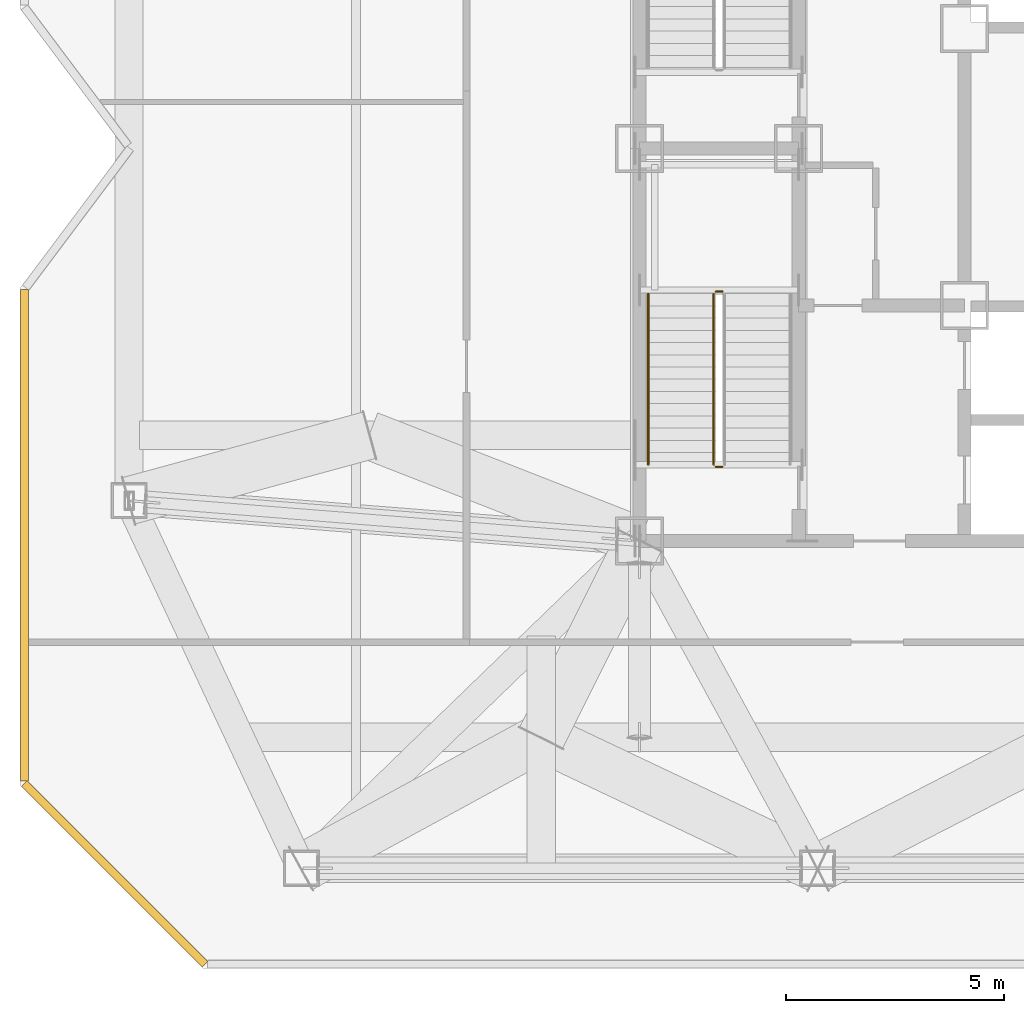
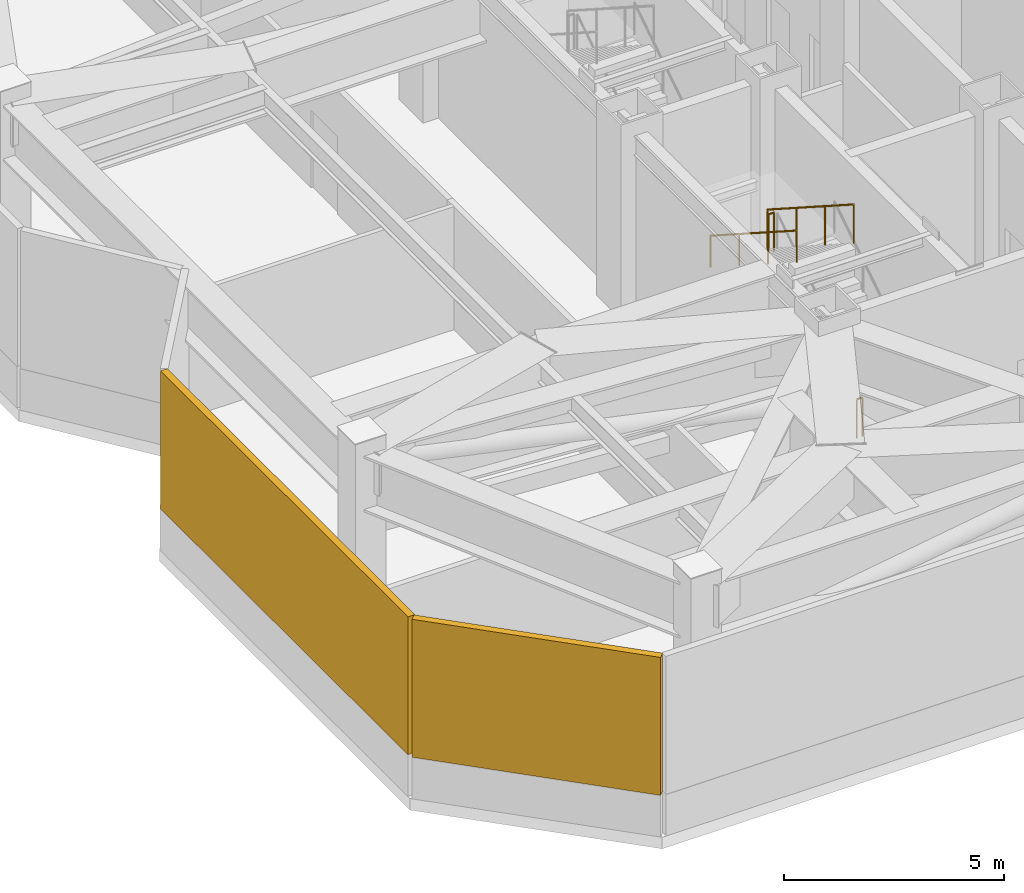
# One storey, part 16 of 19: 4 railings, 2 shading devices.
"""IFC4 building model written with IfcOpenShell, lengths in metres."""

from ifc_helpers import new_model, si_unit, direction, frame, origin, origin_2d, place, context, subcontext, project, spatial, rectangle, circle, extrude, material, type_object, element, save


model = new_model("IFC4")

# Units and contexts
model_context = context("Model", 3, precision=1e-05, world=origin(), true_north=direction((0.0, 1.0)))
body_context = subcontext(model_context, "Body", "Model", "MODEL_VIEW")
ifc_project = project(units=[si_unit("LENGTHUNIT", "METRE"), si_unit("AREAUNIT", "SQUARE_METRE"), si_unit("VOLUMEUNIT", "CUBIC_METRE"), si_unit("PLANEANGLEUNIT", "RADIAN"), si_unit("MASSUNIT", "GRAM", prefix="KILO")], contexts=[model_context])

# Site, building, storey
site_placement = place(None, origin())
site = spatial("IfcSite", under=ifc_project, at=site_placement, CompositionType="ELEMENT")
building_placement = place(site_placement, origin())
building = spatial("IfcBuilding", under=site, at=building_placement, Name="Khamvora Tower", CompositionType="ELEMENT")
storey_placement = place(building_placement, frame((0.0, 0.0, 211.800048828125)))
storey = spatial("IfcBuildingStorey", under=building, at=storey_placement, Name="L54", CompositionType="ELEMENT", Elevation=211.800048828125)

# Railings
ifc_material_1 = material(Name="Brushed Stainless Steel 316", Category="steel")
railing_type_1 = type_object("IfcRailingType", Name="RAL-HDR-920", PredefinedType="HANDRAIL", material=ifc_material_1)
railing_1_placement = place(storey_placement, frame((29.199951171875, 24.669921875, 2.8798828125)))
element("IfcRailing", 1, at=railing_1_placement, inside=storey, type_object=railing_type_1, Name="L54 ST-01 stair handrail 2", PredefinedType="HANDRAIL", context=body_context, shape_type="SweptSolid", body=[
    extrude(circle(Radius=0.02392578125, at=origin_2d()), frame((0.0, 0.0, 0.8759765625), z_axis=(0.0, -0.841171666519, 0.540768182723), x_axis=(1.0, 0.0, 0.0)), (0.0, 0.0, 1.0), 4.66015625),
    extrude(circle(Radius=0.02099609375, at=origin_2d()), origin(), (0.0, 0.0, 1.0), 0.851806640625),
    extrude(circle(Radius=0.02099609375, at=origin_2d()), frame((0.0, -1.306640625, 0.840087890625)), (0.0, 0.0, 1.0), 0.851806640625),
    extrude(circle(Radius=0.02099609375, at=origin_2d()), frame((0.0, -2.61328125, 1.679931640625)), (0.0, 0.0, 1.0), 0.851806640625),
    extrude(circle(Radius=0.02099609375, at=origin_2d()), frame((0.0, -3.919921875, 2.52001953125)), (0.0, 0.0, 1.0), 0.851806640625),
])
ifc_material_2 = material(Name="Stainless Steel 316", Category="steel")
railing_type_2 = type_object("IfcRailingType", Name="RAL-STG-1100", PredefinedType="GUARDRAIL", material=ifc_material_2)
railing_2_placement = place(storey_placement, frame((30.89990234375, 24.719970703125, 2.699951171875)))
element("IfcRailing", 2, at=railing_2_placement, inside=storey, type_object=railing_type_2, Name="L54 ST-01 stair guard 2", PredefinedType="GUARDRAIL", context=body_context, shape_type="SweptSolid", body=[
    extrude(circle(Radius=0.02392578125, at=origin_2d()), frame((0.0, 0.0, 1.076171875), z_axis=(-1.0, 0.0, 0.0), x_axis=(0.0, -1.0, 0.0)), (0.0, 0.0, 1.0), 0.14990234375),
    extrude(circle(Radius=0.02099609375, at=origin_2d()), origin(), (0.0, 0.0, 1.0), 1.052001953125),
    extrude(circle(Radius=0.02099609375, at=origin_2d()), frame((-0.14990234375, 0.0, 0.0)), (0.0, 0.0, 1.0), 1.052001953125),
])
railing_3_placement = place(storey_placement, frame((30.699951171875, 24.669921875, 2.8798828125)))
element("IfcRailing", 3, at=railing_3_placement, inside=storey, type_object=railing_type_2, Name="L54 ST-01 stair guard 3", PredefinedType="GUARDRAIL", context=body_context, shape_type="SweptSolid", body=[
    extrude(circle(Radius=0.02392578125, at=origin_2d()), frame((0.0, 0.0, 1.076171875), z_axis=(0.0, -0.841171666519, 0.540768182723), x_axis=(1.0, 0.0, 0.0)), (0.0, 0.0, 1.0), 4.66015625),
    extrude(circle(Radius=0.02099609375, at=origin_2d()), origin(), (0.0, 0.0, 1.0), 1.052001953125),
    extrude(circle(Radius=0.02099609375, at=origin_2d()), frame((0.0, -1.306640625, 0.840087890625)), (0.0, 0.0, 1.0), 1.052001953125),
    extrude(circle(Radius=0.02099609375, at=origin_2d()), frame((0.0, -2.61328125, 1.679931640625)), (0.0, 0.0, 1.0), 1.052001953125),
    extrude(circle(Radius=0.02099609375, at=origin_2d()), frame((0.0, -3.919921875, 2.52001953125)), (0.0, 0.0, 1.0), 1.052001953125),
])
railing_4_placement = place(storey_placement, frame((30.89990234375, 20.699951171875, 0.0)))
element("IfcRailing", 4, at=railing_4_placement, inside=storey, type_object=railing_type_2, Name="L54 ST-01 stair guard 4", PredefinedType="GUARDRAIL", context=body_context, shape_type="SweptSolid", body=[
    extrude(circle(Radius=0.02392578125, at=origin_2d()), frame((0.0, 0.0, 1.076171875), z_axis=(-1.0, 0.0, 0.0), x_axis=(0.0, -1.0, 0.0)), (0.0, 0.0, 1.0), 0.14990234375),
    extrude(circle(Radius=0.02099609375, at=origin_2d()), origin(), (0.0, 0.0, 1.0), 1.052001953125),
    extrude(circle(Radius=0.02099609375, at=origin_2d()), frame((-0.14990234375, 0.0, 0.0)), (0.0, 0.0, 1.0), 1.052001953125),
])

# Shading devices
ifc_material_3 = material(Name="Pale Anodised Aluminium 6063-T6", Category="aluminium")
shading_device_type = type_object("IfcShadingDeviceType", Name="SHD-LVR-150", PredefinedType="JALOUSIE", material=ifc_material_3)
shading_device_1_placement = place(storey_placement, frame((16.970947265625, 11.3701171875, 1.14990234375), z_axis=(0.0, 0.0, 1.0), x_axis=(-0.707106781187, 0.707106781187, 0.0)))
element("IfcShadingDevice", 5, at=shading_device_1_placement, inside=storey, type_object=shading_device_type, Name="L54 mechanical weather louvre 01.1", PredefinedType="JALOUSIE", context=body_context, shape_type="SweptSolid", body=[
    extrude(rectangle(XDim=5.85595703125, YDim=0.179931640625, at=origin_2d()), origin(), (0.0, 0.0, 1.0), 3.830078125),
])
shading_device_2_placement = place(storey_placement, frame((14.89990234375, 19.135986328125, 1.14990234375), z_axis=(0.0, 0.0, 1.0), x_axis=(0.0, 1.0, 0.0)))
element("IfcShadingDevice", 6, at=shading_device_2_placement, inside=storey, type_object=shading_device_type, Name="L54 mechanical weather louvre 02.1", PredefinedType="JALOUSIE", context=body_context, shape_type="SweptSolid", body=[
    extrude(rectangle(XDim=11.262939453125, YDim=0.179931640625, at=origin_2d()), origin(), (0.0, 0.0, 1.0), 3.830078125),
])

save(model, "model.ifc")
